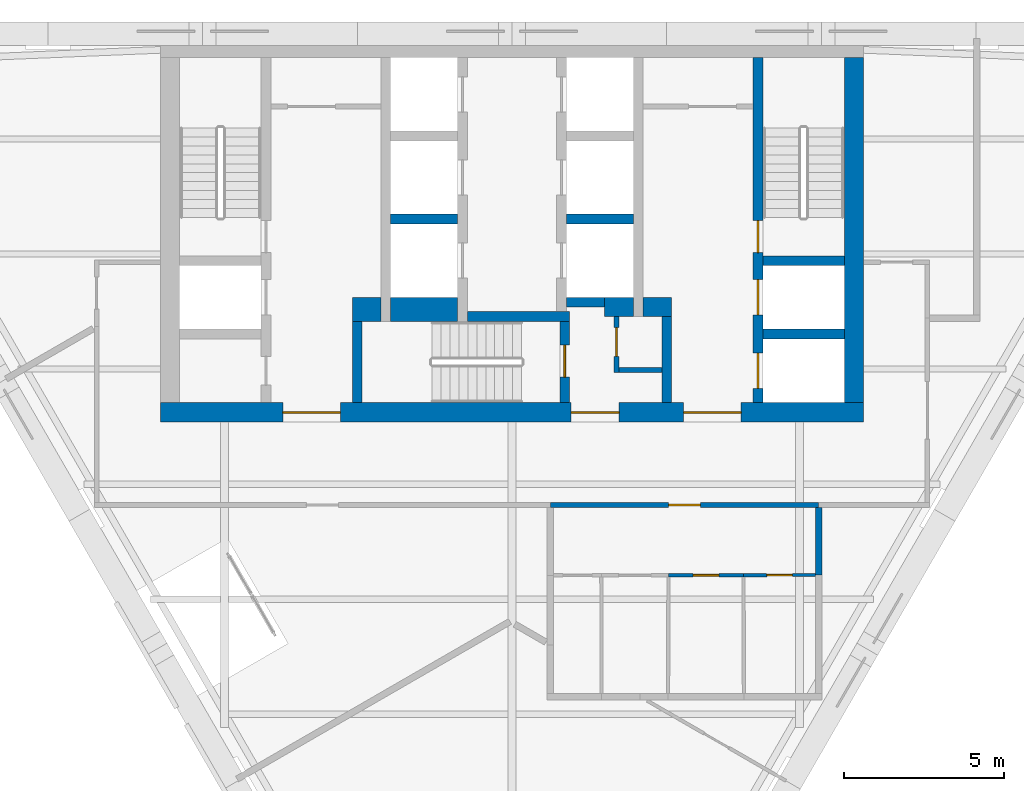
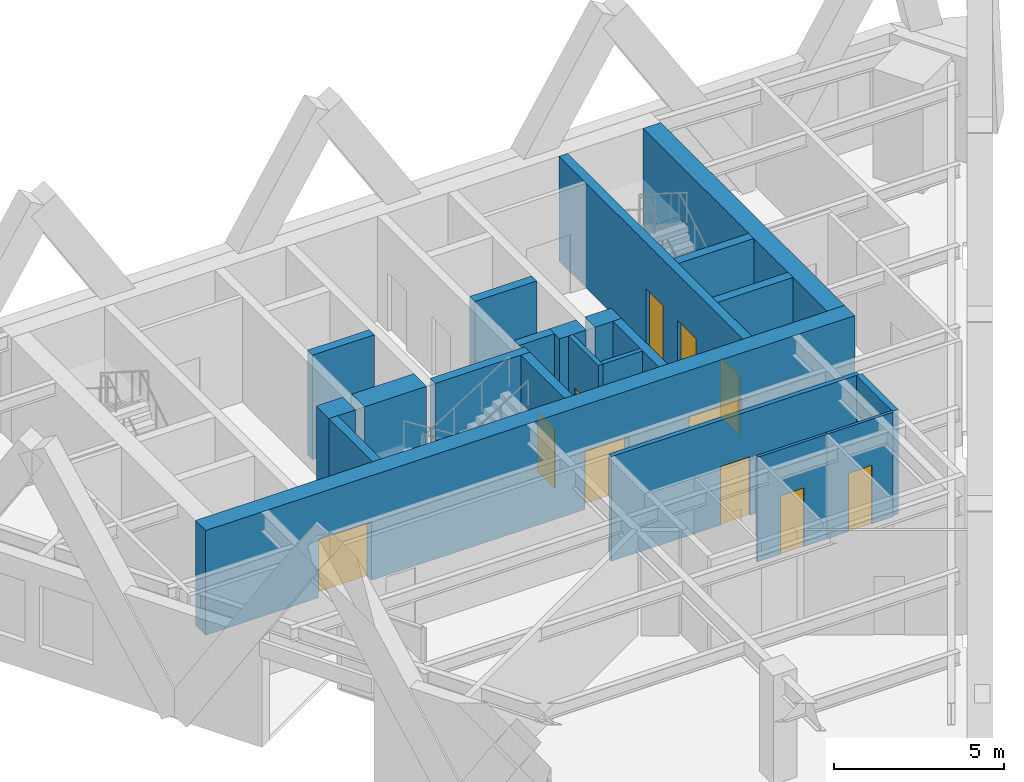
# One storey, part 5 of 9: 22 walls, 11 doors, 11 openings.
"""IFC4 building model written with IfcOpenShell, lengths in metres."""

from ifc_helpers import new_model, si_unit, direction, frame, frame_2d, origin, place, context, subcontext, project, spatial, rectangle, extrude, material, layer, layer_set, type_object, element, fill, save


model = new_model("IFC4")

# Units and contexts
model_context = context("Model", 3, precision=1e-05, world=origin(), true_north=direction((0.0, 1.0)))
body_context = subcontext(model_context, "Body", "Model", "MODEL_VIEW")
ifc_project = project(units=[si_unit("LENGTHUNIT", "METRE"), si_unit("AREAUNIT", "SQUARE_METRE"), si_unit("VOLUMEUNIT", "CUBIC_METRE"), si_unit("PLANEANGLEUNIT", "RADIAN"), si_unit("MASSUNIT", "GRAM", prefix="KILO")], contexts=[model_context])

# Site, building, storey
site_placement = place(None, origin())
site = spatial("IfcSite", under=ifc_project, at=site_placement, CompositionType="ELEMENT")
building_placement = place(site_placement, origin())
building = spatial("IfcBuilding", under=site, at=building_placement, Name="Aloe Facet Convention Tower", CompositionType="ELEMENT")
storey_placement = place(building_placement, frame((0.0, 0.0, 203.60009765625)))
storey = spatial("IfcBuildingStorey", under=building, at=storey_placement, Name="L51", CompositionType="ELEMENT", Elevation=203.60009765625)

# Wall, opening, door
ifc_material_1 = material(Name="Concrete blockwork partition", Category="masonry")
ifc_layer_1 = layer(ifc_material_1, 0.14990234375)
ifc_layer_set_1 = layer_set([ifc_layer_1], Name="CR-W-PART150")
wall_type_1 = type_object("IfcWallType", Name="CR-W-PART150", PredefinedType="PARTITIONING", material=ifc_layer_set_1)
wall_1_placement = place(storey_placement, frame((83.27490234375, 125.85009765625, 0.0), z_axis=(0.0, 0.0, 1.0), x_axis=(0.0, -1.0, 0.0)))
wall_1 = element("IfcWall", 1, at=wall_1_placement, inside=storey, type_object=wall_type_1, Name="Core partition L51-022", PredefinedType="PARTITIONING", context=body_context, shape_type="SweptSolid", body=[
    extrude(rectangle(XDim=1.75, YDim=0.14990234375, at=frame_2d((0.875, 0.0))), origin(), (0.0, 0.0, 1.0), 3.75),
])
opening_1_placement = place(wall_1_placement, frame((0.35009765625, 0.0, 0.0)))
opening_1 = element("IfcOpeningElement", 2, at=opening_1_placement, cuts=wall_1, Name="Opening L51-CD12", PredefinedType="OPENING", context=body_context, shape_type="SweptSolid", body=[
    extrude(rectangle(XDim=0.89990234375, YDim=2.10009765625, at=frame_2d((0.449951171875, 1.050048828125))), frame((0.0, 0.0849609375, 0.0), z_axis=(0.0, -1.0, 0.0), x_axis=(1.0, 0.0, 0.0)), (0.0, 0.0, 1.0), 0.169921875),
])
ifc_material_2 = material(Name="Steel fire-resisting door set FD60", Category="steel")
door_type_1 = type_object("IfcDoorType", Name="CR-D-REFUGE-900-FD60-SRIGHT", OperationType="SINGLE_SWING_RIGHT", PredefinedType="DOOR", material=ifc_material_2)
door_1_placement = place(opening_1_placement, origin())
door_1 = element("IfcDoor", 3, at=door_1_placement, inside=storey, type_object=door_type_1, Name="Core door L51-CD12", OperationType="SINGLE_SWING_RIGHT", OverallHeight=2.10009765625, OverallWidth=0.89990234375, PredefinedType="DOOR", context=body_context, shape_type="SweptSolid", body=[
    extrude(rectangle(XDim=0.89990234375, YDim=2.10009765625, at=frame_2d((0.449951171875, 1.050048828125))), frame((0.0, 0.02490234375, 0.0), z_axis=(0.0, -1.0, 0.0), x_axis=(1.0, 0.0, 0.0)), (0.0, 0.0, 1.0), 0.050048828125),
])
fill(opening_1, door_1)

# Walls
wall_2_placement = place(storey_placement, frame((83.35009765625, 124.175048828125, 0.0), z_axis=(0.0, 0.0, 1.0), x_axis=(1.0, 0.0, 0.0)))
element("IfcWall", 4, at=wall_2_placement, inside=storey, type_object=wall_type_1, Name="Core partition L51-023", PredefinedType="PARTITIONING", context=body_context, shape_type="SweptSolid", body=[
    extrude(rectangle(XDim=1.349853515625, YDim=0.14990234375, at=frame_2d((0.6748046875, 0.0))), origin(), (0.0, 0.0, 1.0), 3.75),
])
ifc_material_3 = material(Name="Concrete C50/60", Category="concrete")
ifc_layer_2 = layer(ifc_material_3, 0.300048828125)
ifc_layer_set_2 = layer_set([ifc_layer_2], Name="CR-W-RC300-C5060")
wall_type_2 = type_object("IfcWallType", Name="CR-W-RC300-C5060", PredefinedType="SOLIDWALL", material=ifc_layer_set_2)
wall_3_placement = place(storey_placement, frame((75.14990234375, 125.699951171875, 0.0), z_axis=(0.0, 0.0, 1.0), x_axis=(0.0, -1.0, 0.0)))
element("IfcWall", 5, at=wall_3_placement, inside=storey, type_object=wall_type_2, Name="Core wall L51-009", PredefinedType="SOLIDWALL", context=body_context, shape_type="SweptSolid", body=[
    extrude(rectangle(XDim=2.550048828125, YDim=0.300048828125, at=frame_2d((1.27490234375, 0.0))), origin(), (0.0, 0.0, 1.0), 3.75),
])
wall_4_placement = place(storey_placement, frame((76.199951171875, 128.89990234375, 0.0), z_axis=(0.0, 0.0, 1.0), x_axis=(1.0, 0.0, 0.0)))
element("IfcWall", 6, at=wall_4_placement, inside=storey, type_object=wall_type_2, Name="Core wall L51-012", PredefinedType="SOLIDWALL", context=body_context, shape_type="SweptSolid", body=[
    extrude(rectangle(XDim=2.10009765625, YDim=0.300048828125, at=frame_2d((1.050048828125, 0.0))), origin(), (0.0, 0.0, 1.0), 3.75),
])
wall_5_placement = place(storey_placement, frame((78.60009765625, 125.85009765625, 0.0), z_axis=(0.0, 0.0, 1.0), x_axis=(1.0, 0.0, 0.0)))
element("IfcWall", 7, at=wall_5_placement, inside=storey, type_object=wall_type_2, Name="Core wall L51-015", PredefinedType="SOLIDWALL", context=body_context, shape_type="SweptSolid", body=[
    extrude(rectangle(XDim=3.199951171875, YDim=0.300048828125, at=frame_2d((1.60009765625, 0.0))), origin(), (0.0, 0.0, 1.0), 3.75),
])

# Wall, opening, door
wall_6_placement = place(storey_placement, frame((81.64990234375, 125.699951171875, 0.0), z_axis=(0.0, 0.0, 1.0), x_axis=(0.0, -1.0, 0.0)))
wall_6 = element("IfcWall", 8, at=wall_6_placement, inside=storey, type_object=wall_type_2, Name="Core wall L51-017", PredefinedType="SOLIDWALL", context=body_context, shape_type="SweptSolid", body=[
    extrude(rectangle(XDim=2.550048828125, YDim=0.300048828125, at=frame_2d((1.27490234375, 0.0))), origin(), (0.0, 0.0, 1.0), 3.75),
])
opening_2_placement = place(wall_6_placement, frame((0.75, 0.0, 0.0)))
opening_2 = element("IfcOpeningElement", 9, at=opening_2_placement, cuts=wall_6, Name="Opening L51-CD18", PredefinedType="OPENING", context=body_context, shape_type="SweptSolid", body=[
    extrude(rectangle(XDim=1.0, YDim=2.10009765625, at=frame_2d((0.5, 1.050048828125))), frame((0.0, 0.16015625, 0.0), z_axis=(0.0, -1.0, 0.0), x_axis=(1.0, 0.0, 0.0)), (0.0, 0.0, 1.0), 0.320068359375),
])
ifc_material_4 = material(Name="Steel fire-resisting door set FD120", Category="steel")
door_type_2 = type_object("IfcDoorType", Name="CR-D-STAIR-1000-FD120-SLEFT", OperationType="SINGLE_SWING_LEFT", PredefinedType="DOOR", material=ifc_material_4)
door_2_placement = place(opening_2_placement, origin())
door_2 = element("IfcDoor", 10, at=door_2_placement, inside=storey, type_object=door_type_2, Name="Core door L51-CD18", OperationType="SINGLE_SWING_LEFT", OverallHeight=2.10009765625, OverallWidth=1.0, PredefinedType="DOOR", context=body_context, shape_type="SweptSolid", body=[
    extrude(rectangle(XDim=1.0, YDim=2.10009765625, at=frame_2d((0.5, 1.050048828125))), frame((0.0, 0.02490234375, 0.0), z_axis=(0.0, -1.0, 0.0), x_axis=(1.0, 0.0, 0.0)), (0.0, 0.0, 1.0), 0.050048828125),
])
fill(opening_2, door_2)

# Walls
wall_7_placement = place(storey_placement, frame((81.699951171875, 128.89990234375, 0.0), z_axis=(0.0, 0.0, 1.0), x_axis=(1.0, 0.0, 0.0)))
element("IfcWall", 11, at=wall_7_placement, inside=storey, type_object=wall_type_2, Name="Core wall L51-019", PredefinedType="SOLIDWALL", context=body_context, shape_type="SweptSolid", body=[
    extrude(rectangle(XDim=2.10009765625, YDim=0.300048828125, at=frame_2d((1.050048828125, 0.0))), origin(), (0.0, 0.0, 1.0), 3.75),
])
wall_8_placement = place(storey_placement, frame((81.699951171875, 126.300048828125, 0.0), z_axis=(0.0, 0.0, 1.0), x_axis=(1.0, 0.0, 0.0)))
element("IfcWall", 12, at=wall_8_placement, inside=storey, type_object=wall_type_2, Name="Core wall L51-020", PredefinedType="SOLIDWALL", context=body_context, shape_type="SweptSolid", body=[
    extrude(rectangle(XDim=1.199951171875, YDim=0.300048828125, at=frame_2d((0.60009765625, 0.0))), origin(), (0.0, 0.0, 1.0), 3.75),
])
wall_9_placement = place(storey_placement, frame((84.85009765625, 125.85009765625, 0.0), z_axis=(0.0, 0.0, 1.0), x_axis=(0.0, -1.0, 0.0)))
element("IfcWall", 13, at=wall_9_placement, inside=storey, type_object=wall_type_2, Name="Core wall L51-027", PredefinedType="SOLIDWALL", context=body_context, shape_type="SweptSolid", body=[
    extrude(rectangle(XDim=2.7001953125, YDim=0.300048828125, at=frame_2d((1.35009765625, 0.0))), origin(), (0.0, 0.0, 1.0), 3.75),
])

# Wall, openings, doors
wall_10_placement = place(storey_placement, frame((87.699951171875, 133.949951171875, 0.0), z_axis=(0.0, 0.0, 1.0), x_axis=(0.0, -1.0, 0.0)))
wall_10 = element("IfcWall", 14, at=wall_10_placement, inside=storey, type_object=wall_type_2, Name="Core wall L51-028", PredefinedType="SOLIDWALL", context=body_context, shape_type="SweptSolid", body=[
    extrude(rectangle(XDim=10.800048828125, YDim=0.300048828125, at=frame_2d((5.39990234375, 0.0))), origin(), (0.0, 0.0, 1.0), 3.75),
])
opening_3_placement = place(wall_10_placement, frame((6.949951171875, 0.0, 0.0)))
opening_3 = element("IfcOpeningElement", 15, at=opening_3_placement, cuts=wall_10, Name="Opening LD-FF2-L51", PredefinedType="OPENING", context=body_context, shape_type="SweptSolid", body=[
    extrude(rectangle(XDim=1.10009765625, YDim=2.10009765625, at=frame_2d((0.550048828125, 1.050048828125))), frame((0.0, 0.16015625, 0.0), z_axis=(0.0, -1.0, 0.0), x_axis=(1.0, 0.0, 0.0)), (0.0, 0.0, 1.0), 0.320068359375),
])
opening_4_placement = place(wall_10_placement, frame((5.10009765625, 0.0, 0.0)))
opening_4 = element("IfcOpeningElement", 16, at=opening_4_placement, cuts=wall_10, Name="Opening L51-CD17", PredefinedType="OPENING", context=body_context, shape_type="SweptSolid", body=[
    extrude(rectangle(XDim=1.0, YDim=2.10009765625, at=frame_2d((0.5, 1.050048828125))), frame((0.0, 0.16015625, 0.0), z_axis=(0.0, -1.0, 0.0), x_axis=(1.0, 0.0, 0.0)), (0.0, 0.0, 1.0), 0.320068359375),
])
opening_5_placement = place(wall_10_placement, frame((9.25, 0.0, 0.0)))
opening_5 = element("IfcOpeningElement", 17, at=opening_5_placement, cuts=wall_10, Name="Opening LD-SV1-L51", PredefinedType="OPENING", context=body_context, shape_type="SweptSolid", body=[
    extrude(rectangle(XDim=1.10009765625, YDim=2.10009765625, at=frame_2d((0.550048828125, 1.050048828125))), frame((0.0, 0.16015625, 0.0), z_axis=(0.0, -1.0, 0.0), x_axis=(1.0, 0.0, 0.0)), (0.0, 0.0, 1.0), 0.320068359375),
])
door_3_placement = place(opening_4_placement, origin())
door_3 = element("IfcDoor", 18, at=door_3_placement, inside=storey, type_object=door_type_2, Name="Core door L51-CD17", OperationType="SINGLE_SWING_LEFT", OverallHeight=2.10009765625, OverallWidth=1.0, PredefinedType="DOOR", context=body_context, shape_type="SweptSolid", body=[
    extrude(rectangle(XDim=1.0, YDim=2.10009765625, at=frame_2d((0.5, 1.050048828125))), frame((0.0, 0.02490234375, 0.0), z_axis=(0.0, -1.0, 0.0), x_axis=(1.0, 0.0, 0.0)), (0.0, 0.0, 1.0), 0.050048828125),
])
fill(opening_4, door_3)
ifc_material_5 = material(Name="Stainless steel sliding landing door", Category="steel")
door_type_3 = type_object("IfcDoorType", Name="CR-LD-1100-FD120-_LEFT", OperationType="SLIDING_TO_LEFT", PredefinedType="DOOR", material=ifc_material_5)
door_4_placement = place(opening_3_placement, origin())
door_4 = element("IfcDoor", 19, at=door_4_placement, inside=storey, type_object=door_type_3, Name="Landing door FF2 L51", OperationType="SLIDING_TO_LEFT", OverallHeight=2.10009765625, OverallWidth=1.10009765625, PredefinedType="DOOR", context=body_context, shape_type="SweptSolid", body=[
    extrude(rectangle(XDim=1.10009765625, YDim=2.10009765625, at=frame_2d((0.550048828125, 1.050048828125))), frame((0.0, 0.02490234375, 0.0), z_axis=(0.0, -1.0, 0.0), x_axis=(1.0, 0.0, 0.0)), (0.0, 0.0, 1.0), 0.050048828125),
])
fill(opening_3, door_4)
door_5_placement = place(opening_5_placement, origin())
door_5 = element("IfcDoor", 20, at=door_5_placement, inside=storey, type_object=door_type_3, Name="Landing door SV1 L51", OperationType="SLIDING_TO_LEFT", OverallHeight=2.10009765625, OverallWidth=1.10009765625, PredefinedType="DOOR", context=body_context, shape_type="SweptSolid", body=[
    extrude(rectangle(XDim=1.10009765625, YDim=2.10009765625, at=frame_2d((0.550048828125, 1.050048828125))), frame((0.0, 0.02490234375, 0.0), z_axis=(0.0, -1.0, 0.0), x_axis=(1.0, 0.0, 0.0)), (0.0, 0.0, 1.0), 0.050048828125),
])
fill(opening_5, door_5)

# Walls
for number, where, z_axis, x_axis, name in (
    (21, (87.85009765625, 127.60009765625, 0.0), (0.0, 0.0, 1.0), (1.0, 0.0, 0.0), "Core wall L51-029"),
    (22, (87.85009765625, 125.300048828125, 0.0), (0.0, 0.0, 1.0), (1.0, 0.0, 0.0), "Core wall L51-030"),
):
    element("IfcWall", number, at=place(storey_placement, frame(where, z_axis=z_axis, x_axis=x_axis)), inside=storey, type_object=wall_type_2, Name=name, PredefinedType="SOLIDWALL", context=body_context, shape_type="SweptSolid", body=[
        extrude(rectangle(XDim=2.5498046875, YDim=0.300048828125, at=frame_2d((1.27490234375, 0.0))), origin(), (0.0, 0.0, 1.0), 3.75),
    ])

# Wall, openings, doors
ifc_material_6 = material(Name="Concrete C50/60", Category="concrete")
ifc_layer_3 = layer(ifc_material_6, 0.60009765625)
ifc_layer_set_3 = layer_set([ifc_layer_3], Name="CR-W-RC600-C5060")
wall_type_3 = type_object("IfcWallType", Name="CR-W-RC600-C5060", PredefinedType="SOLIDWALL", material=ifc_layer_set_3)
wall_11_placement = place(storey_placement, frame((69.0, 122.85009765625, 0.0), z_axis=(0.0, 0.0, 1.0), x_axis=(1.0, 0.0, 0.0)))
wall_11 = element("IfcWall", 23, at=wall_11_placement, inside=storey, type_object=wall_type_3, Name="Core wall L51-003", PredefinedType="SOLIDWALL", context=body_context, shape_type="SweptSolid", body=[
    extrude(rectangle(XDim=22.0, YDim=0.60009765625, at=frame_2d((11.0, 0.0))), origin(), (0.0, 0.0, 1.0), 3.75),
])
opening_6_placement = place(wall_11_placement, frame((16.375, 0.0, 0.0)))
opening_6 = element("IfcOpeningElement", 24, at=opening_6_placement, cuts=wall_11, Name="Opening L51-CD09", PredefinedType="OPENING", context=body_context, shape_type="SweptSolid", body=[
    extrude(rectangle(XDim=1.800048828125, YDim=2.10009765625, at=frame_2d((0.89990234375, 1.050048828125))), frame((0.0, 0.31005859375, 0.0), z_axis=(0.0, -1.0, 0.0), x_axis=(1.0, 0.0, 0.0)), (0.0, 0.0, 1.0), 0.6201171875),
])
opening_7_placement = place(wall_11_placement, frame((3.824951171875, 0.0, 0.0)))
opening_7 = element("IfcOpeningElement", 25, at=opening_7_placement, cuts=wall_11, Name="Opening L51-CD10", PredefinedType="OPENING", context=body_context, shape_type="SweptSolid", body=[
    extrude(rectangle(XDim=1.800048828125, YDim=2.10009765625, at=frame_2d((0.89990234375, 1.050048828125))), frame((0.0, 0.31005859375, 0.0), z_axis=(0.0, -1.0, 0.0), x_axis=(1.0, 0.0, 0.0)), (0.0, 0.0, 1.0), 0.6201171875),
])
opening_8_placement = place(wall_11_placement, frame((12.85009765625, 0.0, 0.0)))
opening_8 = element("IfcOpeningElement", 26, at=opening_8_placement, cuts=wall_11, Name="Opening L51-CD11", PredefinedType="OPENING", context=body_context, shape_type="SweptSolid", body=[
    extrude(rectangle(XDim=1.5, YDim=2.10009765625, at=frame_2d((0.75, 1.050048828125))), frame((0.0, 0.31005859375, 0.0), z_axis=(0.0, -1.0, 0.0), x_axis=(1.0, 0.0, 0.0)), (0.0, 0.0, 1.0), 0.6201171875),
])
ifc_material_7 = material(Name="Steel fire-resisting door set FD60", Category="steel")
door_type_4 = type_object("IfcDoorType", Name="CR-D-EXIT-1500-FD60-DD", OperationType="DOUBLE_DOOR_DOUBLE_SWING", PredefinedType="DOOR", material=ifc_material_7)
door_6_placement = place(opening_8_placement, origin())
door_6 = element("IfcDoor", 27, at=door_6_placement, inside=storey, type_object=door_type_4, Name="Core door L51-CD11", OperationType="DOUBLE_DOOR_DOUBLE_SWING", OverallHeight=2.10009765625, OverallWidth=1.5, PredefinedType="DOOR", context=body_context, shape_type="SweptSolid", body=[
    extrude(rectangle(XDim=1.5, YDim=2.10009765625, at=frame_2d((0.75, 1.050048828125))), frame((0.0, 0.02490234375, 0.0), z_axis=(0.0, -1.0, 0.0), x_axis=(1.0, 0.0, 0.0)), (0.0, 0.0, 1.0), 0.050048828125),
])
fill(opening_8, door_6)
ifc_material_8 = material(Name="Steel fire-resisting door set FD120", Category="steel")
door_type_5 = type_object("IfcDoorType", Name="CR-D-EXIT-1800-FD120-DD", OperationType="DOUBLE_DOOR_DOUBLE_SWING", PredefinedType="DOOR", material=ifc_material_8)
door_7_placement = place(opening_6_placement, origin())
door_7 = element("IfcDoor", 28, at=door_7_placement, inside=storey, type_object=door_type_5, Name="Core door L51-CD09", OperationType="DOUBLE_DOOR_DOUBLE_SWING", OverallHeight=2.10009765625, OverallWidth=1.800048828125, PredefinedType="DOOR", context=body_context, shape_type="SweptSolid", body=[
    extrude(rectangle(XDim=1.800048828125, YDim=2.10009765625, at=frame_2d((0.89990234375, 1.050048828125))), frame((0.0, 0.02490234375, 0.0), z_axis=(0.0, -1.0, 0.0), x_axis=(1.0, 0.0, 0.0)), (0.0, 0.0, 1.0), 0.050048828125),
])
fill(opening_6, door_7)
door_8_placement = place(opening_7_placement, origin())
door_8 = element("IfcDoor", 29, at=door_8_placement, inside=storey, type_object=door_type_5, Name="Core door L51-CD10", OperationType="DOUBLE_DOOR_DOUBLE_SWING", OverallHeight=2.10009765625, OverallWidth=1.800048828125, PredefinedType="DOOR", context=body_context, shape_type="SweptSolid", body=[
    extrude(rectangle(XDim=1.800048828125, YDim=2.10009765625, at=frame_2d((0.89990234375, 1.050048828125))), frame((0.0, 0.02490234375, 0.0), z_axis=(0.0, -1.0, 0.0), x_axis=(1.0, 0.0, 0.0)), (0.0, 0.0, 1.0), 0.050048828125),
])
fill(opening_7, door_8)

# Walls
wall_12_placement = place(storey_placement, frame((82.89990234375, 126.14990234375, 0.0), z_axis=(0.0, 0.0, 1.0), x_axis=(1.0, 0.0, 0.0)))
element("IfcWall", 30, at=wall_12_placement, inside=storey, type_object=wall_type_3, Name="Core wall L51-021", PredefinedType="SOLIDWALL", context=body_context, shape_type="SweptSolid", body=[
    extrude(rectangle(XDim=0.900146484375, YDim=0.60009765625, at=frame_2d((0.4501953125, 0.0))), origin(), (0.0, 0.0, 1.0), 3.75),
])
wall_13_placement = place(storey_placement, frame((84.10009765625, 126.14990234375, 0.0), z_axis=(0.0, 0.0, 1.0), x_axis=(1.0, 0.0, 0.0)))
element("IfcWall", 31, at=wall_13_placement, inside=storey, type_object=wall_type_3, Name="Core wall L51-026", PredefinedType="SOLIDWALL", context=body_context, shape_type="SweptSolid", body=[
    extrude(rectangle(XDim=0.89990234375, YDim=0.60009765625, at=frame_2d((0.449951171875, 0.0))), origin(), (0.0, 0.0, 1.0), 3.75),
])
wall_14_placement = place(storey_placement, frame((90.699951171875, 133.949951171875, 0.0), z_axis=(0.0, 0.0, 1.0), x_axis=(0.0, -1.0, 0.0)))
element("IfcWall", 32, at=wall_14_placement, inside=storey, type_object=wall_type_3, Name="Core wall L51-031", PredefinedType="SOLIDWALL", context=body_context, shape_type="SweptSolid", body=[
    extrude(rectangle(XDim=10.800048828125, YDim=0.60009765625, at=frame_2d((5.39990234375, 0.0))), origin(), (0.0, 0.0, 1.0), 3.75),
])
ifc_material_9 = material(Name="Concrete C50/60", Category="concrete")
ifc_layer_4 = layer(ifc_material_9, 0.75)
ifc_layer_set_4 = layer_set([ifc_layer_4], Name="CR-W-RC750-C5060")
wall_type_4 = type_object("IfcWallType", Name="CR-W-RC750-C5060", PredefinedType="SOLIDWALL", material=ifc_layer_set_4)
wall_15_placement = place(storey_placement, frame((75.0, 126.074951171875, 0.0), z_axis=(0.0, 0.0, 1.0), x_axis=(1.0, 0.0, 0.0)))
element("IfcWall", 33, at=wall_15_placement, inside=storey, type_object=wall_type_4, Name="Core wall L51-008", PredefinedType="SOLIDWALL", context=body_context, shape_type="SweptSolid", body=[
    extrude(rectangle(XDim=0.89990234375, YDim=0.75, at=frame_2d((0.449951171875, 0.0))), origin(), (0.0, 0.0, 1.0), 3.75),
])
wall_16_placement = place(storey_placement, frame((76.199951171875, 126.074951171875, 0.0), z_axis=(0.0, 0.0, 1.0), x_axis=(1.0, 0.0, 0.0)))
element("IfcWall", 34, at=wall_16_placement, inside=storey, type_object=wall_type_4, Name="Core wall L51-013", PredefinedType="SOLIDWALL", context=body_context, shape_type="SweptSolid", body=[
    extrude(rectangle(XDim=2.10009765625, YDim=0.75, at=frame_2d((1.050048828125, 0.0))), origin(), (0.0, 0.0, 1.0), 3.75),
])

# Wall, opening, door
ifc_material_10 = material(Name="Gypsum board partition on steel studs", Category="steel")
ifc_layer_5 = layer(ifc_material_10, 0.14990234375)
ifc_layer_set_5 = layer_set([ifc_layer_5], Name="IN-W-CORR")
wall_type_5 = type_object("IfcWallType", Name="IN-W-CORR", PredefinedType="PARTITIONING", material=ifc_layer_set_5)
wall_17_placement = place(storey_placement, frame((81.199951171875, 119.949951171875, 0.0), z_axis=(0.0, 0.0, 1.0), x_axis=(1.0, 0.0, 0.0)))
wall_17 = element("IfcWall", 35, at=wall_17_placement, inside=storey, type_object=wall_type_5, Name="Partition L51-W022", PredefinedType="PARTITIONING", context=body_context, shape_type="SweptSolid", body=[
    extrude(rectangle(XDim=8.400146484375, YDim=0.14990234375, at=frame_2d((4.2001953125, 0.0))), origin(), (0.0, 0.0, 1.0), 3.75),
])
opening_9_placement = place(wall_17_placement, frame((3.699951171875, 0.0, 0.0)))
opening_9 = element("IfcOpeningElement", 36, at=opening_9_placement, cuts=wall_17, Name="Opening L51-001", PredefinedType="OPENING", context=body_context, shape_type="SweptSolid", body=[
    extrude(rectangle(XDim=1.0, YDim=2.10009765625, at=frame_2d((0.5, 1.050048828125))), frame((0.0, 0.0849609375, 0.0), z_axis=(0.0, -1.0, 0.0), x_axis=(1.0, 0.0, 0.0)), (0.0, 0.0, 1.0), 0.169921875),
])
ifc_material_11 = material(Name="Timber door FD30S with vision panel", Category="wood")
door_type_6 = type_object("IfcDoorType", Name="IN-OFF-D-ENTRY", OperationType="SINGLE_SWING_LEFT", PredefinedType="DOOR", material=ifc_material_11)
door_9_placement = place(opening_9_placement, origin())
door_9 = element("IfcDoor", 37, at=door_9_placement, inside=storey, type_object=door_type_6, Name="Door L51-001", OperationType="SINGLE_SWING_LEFT", OverallHeight=2.10009765625, OverallWidth=1.0, PredefinedType="DOOR", context=body_context, shape_type="SweptSolid", body=[
    extrude(rectangle(XDim=1.0, YDim=2.10009765625, at=frame_2d((0.5, 1.050048828125))), frame((0.0, 0.02490234375, 0.0), z_axis=(0.0, -1.0, 0.0), x_axis=(1.0, 0.0, 0.0)), (0.0, 0.0, 1.0), 0.050048828125),
])
fill(opening_9, door_9)

ifc_material_12 = material(Name="Gypsum board partition on steel studs", Category="steel")
ifc_layer_6 = layer(ifc_material_12, 0.10009765625)
ifc_layer_set_6 = layer_set([ifc_layer_6], Name="IN-W-PART")
wall_type_6 = type_object("IfcWallType", Name="IN-W-PART", PredefinedType="PARTITIONING", material=ifc_layer_set_6)
wall_18_placement = place(storey_placement, frame((84.89599609375, 117.75, 0.0), z_axis=(0.0, 0.0, 1.0), x_axis=(1.0, 0.0, 0.0)))
wall_18 = element("IfcWall", 38, at=wall_18_placement, inside=storey, type_object=wall_type_6, Name="Partition L51-W017", PredefinedType="PARTITIONING", context=body_context, shape_type="SweptSolid", body=[
    extrude(rectangle(XDim=2.35205078125, YDim=0.10009765625, at=frame_2d((1.176025390625, 0.0))), origin(), (0.0, 0.0, 1.0), 3.75),
])
opening_10_placement = place(wall_18_placement, frame((0.77587890625, 0.0, 0.0)))
opening_10 = element("IfcOpeningElement", 39, at=opening_10_placement, cuts=wall_18, Name="Opening L51-004", PredefinedType="OPENING", context=body_context, shape_type="SweptSolid", body=[
    extrude(rectangle(XDim=0.800048828125, YDim=2.10009765625, at=frame_2d((0.39990234375, 1.050048828125))), frame((0.0, 0.06005859375, 0.0), z_axis=(0.0, -1.0, 0.0), x_axis=(1.0, 0.0, 0.0)), (0.0, 0.0, 1.0), 0.1201171875),
])
ifc_material_13 = material(Name="Timber door", Category="wood")
door_type_7 = type_object("IfcDoorType", Name="IN-OFF-D-WC", OperationType="SINGLE_SWING_LEFT", PredefinedType="DOOR", material=ifc_material_13)
door_10_placement = place(opening_10_placement, origin())
door_10 = element("IfcDoor", 40, at=door_10_placement, inside=storey, type_object=door_type_7, Name="Door L51-004", OperationType="SINGLE_SWING_LEFT", OverallHeight=2.10009765625, OverallWidth=0.800048828125, PredefinedType="DOOR", context=body_context, shape_type="SweptSolid", body=[
    extrude(rectangle(XDim=0.800048828125, YDim=2.10009765625, at=frame_2d((0.39990234375, 1.050048828125))), frame((0.0, 0.02490234375, 0.0), z_axis=(0.0, -1.0, 0.0), x_axis=(1.0, 0.0, 0.0)), (0.0, 0.0, 1.0), 0.050048828125),
])
fill(opening_10, door_10)

wall_19_placement = place(storey_placement, frame((87.248046875, 117.75, 0.0), z_axis=(0.0, 0.0, 1.0), x_axis=(0.999991061702, 0.004228062815, 0.0)))
wall_19 = element("IfcWall", 41, at=wall_19_placement, inside=storey, type_object=wall_type_6, Name="Partition L51-W018", PredefinedType="PARTITIONING", context=body_context, shape_type="SweptSolid", body=[
    extrude(rectangle(XDim=2.251953125, YDim=0.10009765625, at=frame_2d((1.1259765625, 0.0))), origin(), (0.0, 0.0, 1.0), 3.75),
])
opening_11_placement = place(wall_19_placement, frame((0.72607421875, 0.0, 0.0)))
opening_11 = element("IfcOpeningElement", 42, at=opening_11_placement, cuts=wall_19, Name="Opening L51-005", PredefinedType="OPENING", context=body_context, shape_type="SweptSolid", body=[
    extrude(rectangle(XDim=0.800048828125, YDim=2.10009765625, at=frame_2d((0.39990234375, 1.050048828125))), frame((0.0, 0.06005859375, 0.0), z_axis=(0.0, -1.0, 0.0), x_axis=(1.0, 0.0, 0.0)), (0.0, 0.0, 1.0), 0.1201171875),
])
door_11_placement = place(opening_11_placement, origin())
door_11 = element("IfcDoor", 43, at=door_11_placement, inside=storey, type_object=door_type_7, Name="Door L51-005", OperationType="SINGLE_SWING_LEFT", OverallHeight=2.10009765625, OverallWidth=0.800048828125, PredefinedType="DOOR", context=body_context, shape_type="SweptSolid", body=[
    extrude(rectangle(XDim=0.800048828125, YDim=2.10009765625, at=frame_2d((0.39990234375, 1.050048828125))), frame((0.0, 0.02490234375, 0.0), z_axis=(0.0, -1.0, 0.0), x_axis=(1.0, 0.0, 0.0)), (0.0, 0.0, 1.0), 0.050048828125),
])
fill(opening_11, door_11)

# Wall
ifc_material_14 = material(Name="Gypsum board partition on steel studs", Category="steel")
ifc_layer_7 = layer(ifc_material_14, 0.199951171875)
ifc_layer_set_7 = layer_set([ifc_layer_7], Name="IN-W-PARTY")
wall_type_7 = type_object("IfcWallType", Name="IN-W-PARTY", PredefinedType="PARTITIONING", material=ifc_layer_set_7)
wall_20_placement = place(storey_placement, frame((89.60009765625, 117.760009765625, 0.0), z_axis=(0.0, 0.0, 1.0), x_axis=(0.0, 1.0, 0.0)))
element("IfcWall", 44, at=wall_20_placement, inside=storey, type_object=wall_type_7, Name="Partition L51-W011", PredefinedType="PARTITIONING", context=body_context, shape_type="SweptSolid", body=[
    extrude(rectangle(XDim=2.114990234375, YDim=0.199951171875, at=frame_2d((1.0576171875, 0.0))), origin(), (0.0, 0.0, 1.0), 3.75),
])

save(model, "model.ifc")
